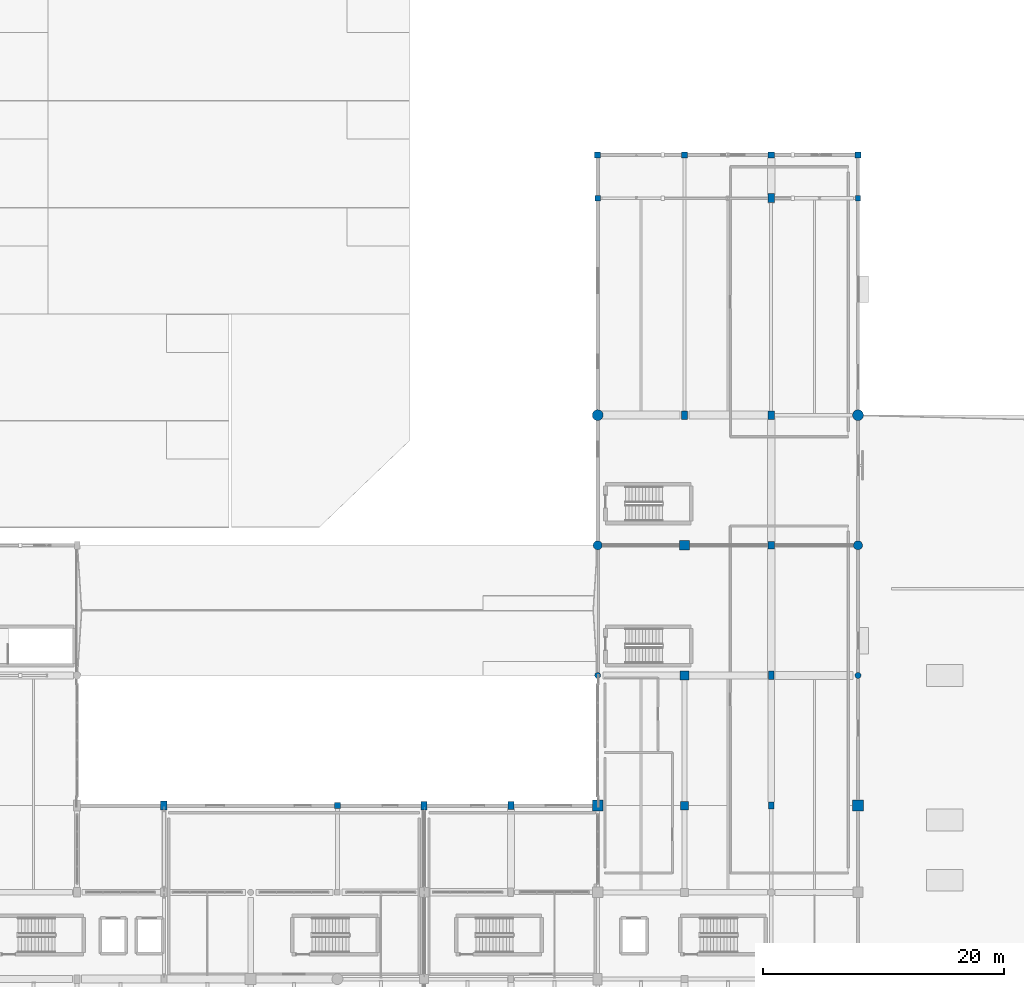
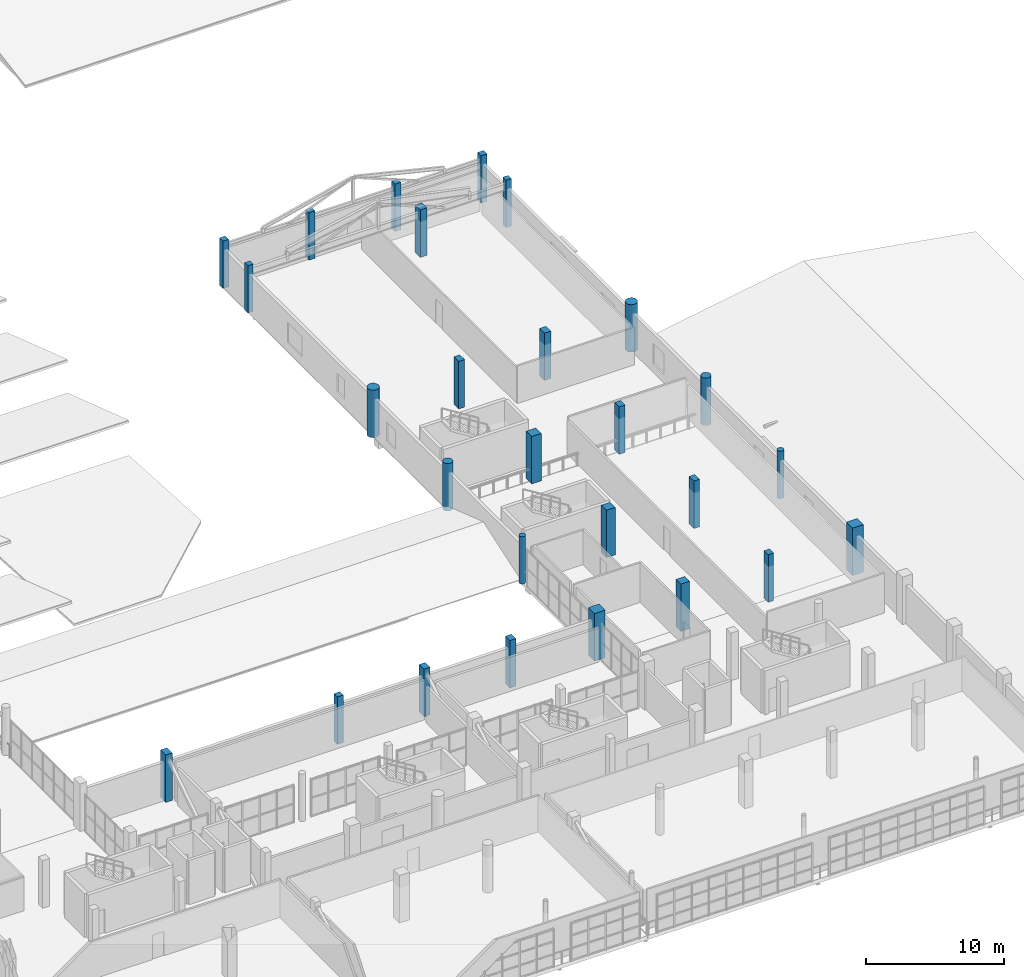
# One storey, part 11 of 90: 27 columns.
"""IFC4 building model written with IfcOpenShell, lengths in metres."""

import ifcopenshell
import ifcopenshell.guid

model = None  # the IFC model being written
_history = None  # IfcOwnerHistory: only IFC2X3 demands one
_inside = {}  # id of a spatial element -> (the spatial element, [elements in it])
_under = {}  # id of a project, library or spatial element -> (it, [spatial elements below it])
_declared = {}  # id of a project -> (the project, [libraries it declares])
_typed = {}  # id of a type object -> (the type object, [elements of that type])
_made_of = {}  # id of a material, layer set ... -> (it, [elements and type objects made of it])


def new_model(schema):
    """Start an empty IFC model of exactly this schema.

    Asked for "IFC4X3", IfcOpenShell would pick the latest addendum, in which some entities
    have other attributes; the version numbers below select the first issue.
    IFC2X3 requires an IfcOwnerHistory on every rooted entity: one is made here for all.
    """
    global model, _history
    if schema == "IFC4X3":
        model = ifcopenshell.file(schema_version=(4, 3, 0, 0))
    else:
        model = ifcopenshell.file(schema=schema)
    _inside.clear()
    _under.clear()
    _declared.clear()
    _typed.clear()
    _made_of.clear()
    _history = None
    if model.schema == "IFC2X3":
        org = make("IfcOrganization", Name="unknown")
        user = make(
            "IfcPersonAndOrganization",
            ThePerson=make("IfcPerson", FamilyName="unknown"),
            TheOrganization=org,
        )
        app = make(
            "IfcApplication",
            ApplicationDeveloper=org,
            Version="unknown",
            ApplicationFullName="unknown",
            ApplicationIdentifier="unknown",
        )
        _history = make(
            "IfcOwnerHistory",
            OwningUser=user,
            OwningApplication=app,
            ChangeAction="ADDED",
            CreationDate=0,
        )
    return model


def make(cls, **values):
    """One entity of the class cls with the attributes given. An attribute that is None is left unset."""
    return model.create_entity(
        cls, **{name: value for name, value in values.items() if value is not None}
    )


def rooted(cls, **values):
    """An entity with a GlobalId (a new one), such as an element, a storey or a relation."""
    return make(cls, GlobalId=ifcopenshell.guid.new(), OwnerHistory=_history, **values)


def si_unit(unit_type, name, prefix=None):
    """IfcSIUnit, for example si_unit("LENGTHUNIT", "METRE", prefix="MILLI")."""
    return make("IfcSIUnit", UnitType=unit_type, Prefix=prefix, Name=name)


def assignment(units):
    """IfcUnitAssignment: the units of a project."""
    return None if units is None else make("IfcUnitAssignment", Units=units)


def point(xyz):
    """IfcCartesianPoint."""
    return None if xyz is None else make("IfcCartesianPoint", Coordinates=xyz)


def direction(xyz):
    """IfcDirection."""
    return None if xyz is None else make("IfcDirection", DirectionRatios=xyz)


def frame(location, z_axis=None, x_axis=None):
    """IfcAxis2Placement3D, a coordinate frame: its origin and axes. An axis left out is left unset."""
    return make(
        "IfcAxis2Placement3D",
        Location=point(location),
        Axis=direction(z_axis),
        RefDirection=direction(x_axis),
    )


def frame_2d(location, x_axis=None):
    """IfcAxis2Placement2D, a coordinate frame in the plane: its origin and x axis."""
    return make(
        "IfcAxis2Placement2D", Location=point(location), RefDirection=direction(x_axis)
    )


def origin():
    """The frame at (0, 0, 0) with its axes left unset."""
    return frame((0.0, 0.0, 0.0))


def origin_2d():
    """The frame at (0, 0) in the plane with its x axis left unset."""
    return frame_2d((0.0, 0.0))


def place(relative_to, where):
    """IfcLocalPlacement: puts the frame where relative to a parent placement (None: the world)."""
    return make(
        "IfcLocalPlacement", PlacementRelTo=relative_to, RelativePlacement=where
    )


def context(
    kind, dimensions, precision=None, world=None, true_north=None, identifier=None
):
    """IfcGeometricRepresentationContext, for example the 3D "Model" context."""
    return make(
        "IfcGeometricRepresentationContext",
        ContextIdentifier=identifier,
        ContextType=kind,
        CoordinateSpaceDimension=dimensions,
        Precision=precision,
        WorldCoordinateSystem=world,
        TrueNorth=true_north,
    )


def subcontext(parent, identifier, kind, view, scale=None):
    """IfcGeometricRepresentationSubContext, for example "Body" below "Model"."""
    return make(
        "IfcGeometricRepresentationSubContext",
        ContextIdentifier=identifier,
        ContextType=kind,
        ParentContext=parent,
        TargetScale=scale,
        TargetView=view,
    )


def project(units=None, contexts=None):
    """IfcProject with its units and contexts."""
    return rooted(
        "IfcProject",
        Name="project",
        RepresentationContexts=contexts,
        UnitsInContext=assignment(units),
    )


def spatial(cls, under=None, at=None, **own):
    """A site, building, storey or space (cls), placed at a placement, below another one or the project."""
    s = rooted(cls, ObjectPlacement=at, **own)
    if under is not None:
        _under.setdefault(under.id(), (under, []))[1].append(s)
    return s


def profile(cls, at=None, kind="AREA", **sizes):
    """A parametric profile (cls). Its sizes go by their IFC names, for example OverallWidth=200.0."""
    return make(cls, ProfileType=kind, Position=at, **sizes)


def rectangle(**sizes):
    """IfcRectangleProfileDef."""
    return profile("IfcRectangleProfileDef", **sizes)


def circle(**sizes):
    """IfcCircleProfileDef."""
    return profile("IfcCircleProfileDef", **sizes)


def extrude(swept, where, along, depth):
    """IfcExtrudedAreaSolid: the profile swept, set in the frame where, extruded along a direction by depth."""
    return make(
        "IfcExtrudedAreaSolid",
        SweptArea=swept,
        Position=where,
        ExtrudedDirection=direction(along),
        Depth=depth,
    )


def shape(context_of_items, identifier, shape_type, items):
    """IfcShapeRepresentation: the items that make up one representation, for example the "Body"."""
    return make(
        "IfcShapeRepresentation",
        ContextOfItems=context_of_items,
        RepresentationIdentifier=identifier,
        RepresentationType=shape_type,
        Items=items,
    )


def material(Name=None, Category=None):
    """IfcMaterial."""
    return make("IfcMaterial", Name=Name, Category=Category)


def material_profile(
    of_material, cross_section, Name=None, Category=None, Priority=None
):
    """IfcMaterialProfile: a cross section and its material."""
    return make(
        "IfcMaterialProfile",
        Name=Name,
        Material=of_material,
        Profile=cross_section,
        Priority=Priority,
        Category=Category,
    )


def profile_set(profiles, Name=None, composite=None):
    """IfcMaterialProfileSet."""
    return make(
        "IfcMaterialProfileSet",
        Name=Name,
        MaterialProfiles=profiles,
        CompositeProfile=composite,
    )


def made_of(thing, what):
    """Note that an element or type object is made of a material, layer set ...; save() writes the relation."""
    if what is not None:
        _made_of.setdefault(what.id(), (what, []))[1].append(thing)
    return thing


def type_object(cls, material=None, **own):
    """A type object (cls), such as IfcWallType, which elements share."""
    return made_of(rooted(cls, **own), material)


def element(
    cls,
    number,
    at=None,
    inside=None,
    cuts=None,
    type_object=None,
    material=None,
    context=None,
    identifier="Body",
    shape_type=None,
    held_by="IfcProductDefinitionShape",
    body=None,
    shapes=None,
    **own,
):
    """One element of the class cls, such as IfcWall. Its Tag is "e" and its number.

    at: its placement. inside: the storey or other place that contains it. cuts: it is an
    opening in that element (IfcRelVoidsElement). A single representation is given by context,
    identifier, shape_type and body (its items); several are given by shapes. held_by: the class
    of the entity that holds the representations. save() writes the other relations.
    """
    e = rooted(cls, Tag="e%d" % number, ObjectPlacement=at, **own)
    if body is not None:
        shapes = [shape(context, identifier, shape_type, body)]
    if shapes is not None:
        e.Representation = make(held_by, Representations=shapes)
    if inside is not None:
        _inside.setdefault(inside.id(), (inside, []))[1].append(e)
    if cuts is not None:
        rooted(
            "IfcRelVoidsElement", RelatingBuildingElement=cuts, RelatedOpeningElement=e
        )
    if type_object is not None:
        _typed.setdefault(type_object.id(), (type_object, []))[1].append(e)
    return made_of(e, material)


def aggregate(whole, parts):
    """IfcRelAggregates: a whole, such as a stair, and the parts it consists of."""
    return rooted("IfcRelAggregates", RelatingObject=whole, RelatedObjects=parts)


def save(model, path):
    """Write the relations noted so far, then the file.

    IfcRelAggregates (storeys below a building ...), IfcRelContainedInSpatialStructure (elements
    in a storey), IfcRelDefinesByType, IfcRelAssociatesMaterial and IfcRelDeclares: one each for
    every whole, place, type object, material and project.
    """
    for whole, parts in _under.values():
        aggregate(whole, parts)
    for where, things in _inside.values():
        rooted(
            "IfcRelContainedInSpatialStructure",
            RelatedElements=things,
            RelatingStructure=where,
        )
    for kind, things in _typed.values():
        rooted("IfcRelDefinesByType", RelatedObjects=things, RelatingType=kind)
    for what, things in _made_of.values():
        rooted("IfcRelAssociatesMaterial", RelatedObjects=things, RelatingMaterial=what)
    for by, libraries in _declared.values():
        rooted("IfcRelDeclares", RelatingContext=by, RelatedDefinitions=libraries)
    model.write(path)


model = new_model("IFC4")

# Units and contexts
model_context = context("Model", 3, precision=1e-05, world=origin(), true_north=direction((0.0, 1.0)))
body_context = subcontext(model_context, "Body", "Model", "MODEL_VIEW")
ifc_project = project(units=[si_unit("LENGTHUNIT", "METRE"), si_unit("AREAUNIT", "SQUARE_METRE"), si_unit("VOLUMEUNIT", "CUBIC_METRE"), si_unit("PLANEANGLEUNIT", "RADIAN"), si_unit("MASSUNIT", "GRAM", prefix="KILO")], contexts=[model_context])

# Site, building, storey
site_placement = place(None, origin())
site = spatial("IfcSite", under=ifc_project, at=site_placement, CompositionType="ELEMENT")
building_placement = place(site_placement, origin())
building = spatial("IfcBuilding", under=site, at=building_placement, Name="Solanera Park Tramway Depot", CompositionType="ELEMENT")
storey_placement = place(building_placement, frame((0.0, 0.0, 9.0)))
storey = spatial("IfcBuildingStorey", under=building, at=storey_placement, Name="L02", CompositionType="ELEMENT", Elevation=9.0)

# Columns
ifc_material_1 = material(Name="Concrete N40 (C40/50)", Category="concrete")
ifc_material_profile_1 = material_profile(ifc_material_1, rectangle(XDim=0.449951171875, YDim=0.449951171875, at=origin_2d()), Name="RC 450x450")
ifc_profile_set_1 = profile_set([ifc_material_profile_1], Name="Concrete N40 (C40/50)")
column_type_1 = type_object("IfcColumnType", Name="RC Column Ext RC 450x450", PredefinedType="COLUMN", material=ifc_profile_set_1)
column_1_placement = place(storey_placement, frame((187.199951171875, 82.800048828125, 0.0), z_axis=(0.0, 0.0, 1.0), x_axis=(1.0, 0.0, 0.0)))
element("IfcColumn", 1, at=column_1_placement, inside=storey, type_object=column_type_1, Name="L02 Column V4-X1872-Y828", PredefinedType="COLUMN", context=body_context, shape_type="SweptSolid", body=[
    extrude(rectangle(XDim=0.449951171875, YDim=0.449951171875, at=origin_2d()), origin(), (0.0, 0.0, 1.0), 4.199951171875),
])
ifc_material_2 = material(Name="Concrete N40 (C40/50)", Category="concrete")
ifc_material_profile_2 = material_profile(ifc_material_2, rectangle(XDim=0.5, YDim=0.5, at=origin_2d()), Name="RC 500x500")
ifc_profile_set_2 = profile_set([ifc_material_profile_2], Name="Concrete N40 (C40/50)")
column_type_2 = type_object("IfcColumnType", Name="RC Column Ext RC 500x500", PredefinedType="COLUMN", material=ifc_profile_set_2)
for number, where, z_axis, x_axis, name in (
    (2, (165.60009765625, 86.39990234375, 0.0), (0.0, 0.0, 1.0), (1.0, 0.0, 0.0), "L02 Column V4N86-X1656"),
    (3, (172.800048828125, 86.39990234375, 0.0), (0.0, 0.0, 1.0), (1.0, 0.0, 0.0), "L02 Column V4N86-X1728"),
    (4, (180.0, 86.39990234375, 0.0), (0.0, 0.0, 1.0), (1.0, 0.0, 0.0), "L02 Column V4N86-X1800"),
    (5, (187.199951171875, 86.39990234375, 0.0), (0.0, 0.0, 1.0), (1.0, 0.0, 0.0), "L02 Column V4N86-X1872"),
):
    element("IfcColumn", number, at=place(storey_placement, frame(where, z_axis=z_axis, x_axis=x_axis)), inside=storey, type_object=column_type_2, Name=name, PredefinedType="COLUMN", context=body_context, shape_type="SweptSolid", body=[
        extrude(rectangle(XDim=0.5, YDim=0.5, at=origin_2d()), origin(), (0.0, 0.0, 1.0), 4.199951171875),
    ])
ifc_material_3 = material(Name="Concrete N40 (C40/50)", Category="concrete")
ifc_material_profile_3 = material_profile(ifc_material_3, rectangle(XDim=0.5, YDim=0.64990234375, at=origin_2d()), Name="RC 500x650")
ifc_profile_set_3 = profile_set([ifc_material_profile_3], Name="Concrete N40 (C40/50)")
column_type_3 = type_object("IfcColumnType", Name="RC Column Ext RC 500x650", PredefinedType="COLUMN", material=ifc_profile_set_3)
column_2_placement = place(storey_placement, frame((180.0, 54.0, 0.0), z_axis=(0.0, 0.0, 1.0), x_axis=(1.0, 0.0, 0.0)))
element("IfcColumn", 6, at=column_2_placement, inside=storey, type_object=column_type_3, Name="L02 Column V4-X1800-Y540", PredefinedType="COLUMN", context=body_context, shape_type="SweptSolid", body=[
    extrude(rectangle(XDim=0.5, YDim=0.64990234375, at=origin_2d()), origin(), (0.0, 0.0, 1.0), 4.199951171875),
])
ifc_material_4 = material(Name="Concrete N40 (C40/50)", Category="concrete")
ifc_material_profile_4 = material_profile(ifc_material_4, rectangle(XDim=0.800048828125, YDim=0.800048828125, at=origin_2d()), Name="RC 800x800")
ifc_profile_set_4 = profile_set([ifc_material_profile_4], Name="Concrete N40 (C40/50)")
column_type_4 = type_object("IfcColumnType", Name="RC Column Ext RC 800x800", PredefinedType="COLUMN", material=ifc_profile_set_4)
column_3_placement = place(storey_placement, frame((172.800048828125, 54.0, 0.0), z_axis=(0.0, 0.0, 1.0), x_axis=(1.0, 0.0, 0.0)))
element("IfcColumn", 7, at=column_3_placement, inside=storey, type_object=column_type_4, Name="L02 Column V4-X1728-Y540", PredefinedType="COLUMN", context=body_context, shape_type="SweptSolid", body=[
    extrude(rectangle(XDim=0.800048828125, YDim=0.800048828125, at=origin_2d()), origin(), (0.0, 0.0, 1.0), 4.199951171875),
])
ifc_material_5 = material(Name="Concrete N40 (C40/50)", Category="concrete")
ifc_material_profile_5 = material_profile(ifc_material_5, rectangle(XDim=0.89990234375, YDim=0.89990234375, at=origin_2d()), Name="RC 900x900")
ifc_profile_set_5 = profile_set([ifc_material_profile_5], Name="Concrete N40 (C40/50)")
column_type_5 = type_object("IfcColumnType", Name="RC Column Ext RC 900x900", PredefinedType="COLUMN", material=ifc_profile_set_5)
column_4_placement = place(storey_placement, frame((187.199951171875, 32.39990234375, 0.0), z_axis=(0.0, 0.0, 1.0), x_axis=(1.0, 0.0, 0.0)))
element("IfcColumn", 8, at=column_4_placement, inside=storey, type_object=column_type_5, Name="L02 Column V4-X1872-Y324", PredefinedType="COLUMN", context=body_context, shape_type="SweptSolid", body=[
    extrude(rectangle(XDim=0.89990234375, YDim=0.89990234375, at=origin_2d()), origin(), (0.0, 0.0, 1.0), 4.199951171875),
])
ifc_material_6 = material(Name="Concrete N40 (C40/50)", Category="concrete")
ifc_material_profile_6 = material_profile(ifc_material_6, circle(Radius=0.25, at=origin_2d()), Name="RC D500")
ifc_profile_set_6 = profile_set([ifc_material_profile_6], Name="Concrete N40 (C40/50)")
column_type_6 = type_object("IfcColumnType", Name="RC Column Ext RC D500", PredefinedType="COLUMN", material=ifc_profile_set_6)
column_5_placement = place(storey_placement, frame((187.199951171875, 43.199951171875, 0.0), z_axis=(0.0, 0.0, 1.0), x_axis=(1.0, 0.0, 0.0)))
element("IfcColumn", 9, at=column_5_placement, inside=storey, type_object=column_type_6, Name="L02 Column V4-X1872-Y432", PredefinedType="COLUMN", context=body_context, shape_type="SweptSolid", body=[
    extrude(circle(Radius=0.25, at=origin_2d()), origin(), (0.0, 0.0, 1.0), 4.199951171875),
])
ifc_material_7 = material(Name="Concrete N40 (C40/50)", Category="concrete")
ifc_material_profile_7 = material_profile(ifc_material_7, circle(Radius=0.375, at=origin_2d()), Name="RC D750")
ifc_profile_set_7 = profile_set([ifc_material_profile_7], Name="Concrete N40 (C40/50)")
column_type_7 = type_object("IfcColumnType", Name="RC Column Ext RC D750", PredefinedType="COLUMN", material=ifc_profile_set_7)
for number, where, z_axis, x_axis, name in (
    (10, (165.60009765625, 54.0, 0.0), (0.0, 0.0, 1.0), (1.0, 0.0, 0.0), "L02 Column V4-X1656-Y540"),
    (11, (187.199951171875, 54.0, 0.0), (0.0, 0.0, 1.0), (1.0, 0.0, 0.0), "L02 Column V4-X1872-Y540"),
):
    element("IfcColumn", number, at=place(storey_placement, frame(where, z_axis=z_axis, x_axis=x_axis)), inside=storey, type_object=column_type_7, Name=name, PredefinedType="COLUMN", context=body_context, shape_type="SweptSolid", body=[
        extrude(circle(Radius=0.375, at=origin_2d()), origin(), (0.0, 0.0, 1.0), 4.199951171875),
    ])
ifc_material_8 = material(Name="Concrete N40 (C40/50)", Category="concrete")
ifc_material_profile_8 = material_profile(ifc_material_8, circle(Radius=0.449951171875, at=origin_2d()), Name="RC D900")
ifc_profile_set_8 = profile_set([ifc_material_profile_8], Name="Concrete N40 (C40/50)")
column_type_8 = type_object("IfcColumnType", Name="RC Column Ext RC D900", PredefinedType="COLUMN", material=ifc_profile_set_8)
column_6_placement = place(storey_placement, frame((187.199951171875, 64.800048828125, 0.0), z_axis=(0.0, 0.0, 1.0), x_axis=(1.0, 0.0, 0.0)))
element("IfcColumn", 12, at=column_6_placement, inside=storey, type_object=column_type_8, Name="L02 Column V4-X1872-Y648", PredefinedType="COLUMN", context=body_context, shape_type="SweptSolid", body=[
    extrude(circle(Radius=0.449951171875, at=origin_2d()), origin(), (0.0, 0.0, 1.0), 4.199951171875),
])
ifc_material_9 = material(Name="Concrete N40 (C40/50)", Category="concrete")
ifc_material_profile_9 = material_profile(ifc_material_9, rectangle(XDim=0.449951171875, YDim=0.449951171875, at=origin_2d()), Name="RC 450x450")
ifc_profile_set_9 = profile_set([ifc_material_profile_9], Name="Concrete N40 (C40/50)")
column_type_9 = type_object("IfcColumnType", Name="RC Column Int RC 450x450", PredefinedType="COLUMN", material=ifc_profile_set_9)
column_7_placement = place(storey_placement, frame((165.60009765625, 82.800048828125, 0.0), z_axis=(0.0, 0.0, 1.0), x_axis=(1.0, 0.0, 0.0)))
element("IfcColumn", 13, at=column_7_placement, inside=storey, type_object=column_type_9, Name="L02 Column V4-X1656-Y828", PredefinedType="COLUMN", context=body_context, shape_type="SweptSolid", body=[
    extrude(rectangle(XDim=0.449951171875, YDim=0.449951171875, at=origin_2d()), origin(), (0.0, 0.0, 1.0), 4.199951171875),
])
ifc_material_10 = material(Name="Concrete N40 (C40/50)", Category="concrete")
ifc_material_profile_10 = material_profile(ifc_material_10, rectangle(XDim=0.449951171875, YDim=0.60009765625, at=origin_2d()), Name="RC 450x600")
ifc_profile_set_10 = profile_set([ifc_material_profile_10], Name="Concrete N40 (C40/50)")
column_type_10 = type_object("IfcColumnType", Name="RC Column Int RC 450x600", PredefinedType="COLUMN", material=ifc_profile_set_10)
column_8_placement = place(storey_placement, frame((180.0, 32.39990234375, 0.0), z_axis=(0.0, 0.0, 1.0), x_axis=(1.0, 0.0, 0.0)))
element("IfcColumn", 14, at=column_8_placement, inside=storey, type_object=column_type_10, Name="L02 Column V4-X1800-Y324", PredefinedType="COLUMN", context=body_context, shape_type="SweptSolid", body=[
    extrude(rectangle(XDim=0.449951171875, YDim=0.60009765625, at=origin_2d()), origin(), (0.0, 0.0, 1.0), 4.199951171875),
])
ifc_material_11 = material(Name="Concrete N40 (C40/50)", Category="concrete")
ifc_material_profile_11 = material_profile(ifc_material_11, rectangle(XDim=0.449951171875, YDim=0.699951171875, at=origin_2d()), Name="RC 450x700")
ifc_profile_set_11 = profile_set([ifc_material_profile_11], Name="Concrete N40 (C40/50)")
column_type_11 = type_object("IfcColumnType", Name="RC Column Int RC 450x700", PredefinedType="COLUMN", material=ifc_profile_set_11)
column_9_placement = place(storey_placement, frame((180.0, 43.199951171875, 0.0), z_axis=(0.0, 0.0, 1.0), x_axis=(1.0, 0.0, 0.0)))
element("IfcColumn", 15, at=column_9_placement, inside=storey, type_object=column_type_11, Name="L02 Column V4-X1800-Y432", PredefinedType="COLUMN", context=body_context, shape_type="SweptSolid", body=[
    extrude(rectangle(XDim=0.449951171875, YDim=0.699951171875, at=origin_2d()), origin(), (0.0, 0.0, 1.0), 4.199951171875),
])
ifc_material_12 = material(Name="Concrete N40 (C40/50)", Category="concrete")
ifc_material_profile_12 = material_profile(ifc_material_12, rectangle(XDim=0.5, YDim=0.5, at=origin_2d()), Name="RC 500x500")
ifc_profile_set_12 = profile_set([ifc_material_profile_12], Name="Concrete N40 (C40/50)")
column_type_12 = type_object("IfcColumnType", Name="RC Column Int RC 500x500", PredefinedType="COLUMN", material=ifc_profile_set_12)
column_10_placement = place(storey_placement, frame((144.0, 32.39990234375, 0.0), z_axis=(0.0, 0.0, 1.0), x_axis=(1.0, 0.0, 0.0)))
element("IfcColumn", 16, at=column_10_placement, inside=storey, type_object=column_type_12, Name="L02 Column V4-X1440-Y324", PredefinedType="COLUMN", context=body_context, shape_type="SweptSolid", body=[
    extrude(rectangle(XDim=0.5, YDim=0.5, at=origin_2d()), origin(), (0.0, 0.0, 1.0), 4.199951171875),
])
ifc_material_13 = material(Name="Concrete N40 (C40/50)", Category="concrete")
ifc_material_profile_13 = material_profile(ifc_material_13, rectangle(XDim=0.5, YDim=0.64990234375, at=origin_2d()), Name="RC 500x650")
ifc_profile_set_13 = profile_set([ifc_material_profile_13], Name="Concrete N40 (C40/50)")
column_type_13 = type_object("IfcColumnType", Name="RC Column Int RC 500x650", PredefinedType="COLUMN", material=ifc_profile_set_13)
column_11_placement = place(storey_placement, frame((158.39990234375, 32.39990234375, 0.0), z_axis=(0.0, 0.0, 1.0), x_axis=(1.0, 0.0, 0.0)))
element("IfcColumn", 17, at=column_11_placement, inside=storey, type_object=column_type_13, Name="L02 Column V4-X1584-Y324", PredefinedType="COLUMN", context=body_context, shape_type="SweptSolid", body=[
    extrude(rectangle(XDim=0.5, YDim=0.64990234375, at=origin_2d()), origin(), (0.0, 0.0, 1.0), 4.199951171875),
])
ifc_material_14 = material(Name="Concrete N40 (C40/50)", Category="concrete")
ifc_material_profile_14 = material_profile(ifc_material_14, rectangle(XDim=0.5, YDim=0.699951171875, at=origin_2d()), Name="RC 500x700")
ifc_profile_set_14 = profile_set([ifc_material_profile_14], Name="Concrete N40 (C40/50)")
column_type_14 = type_object("IfcColumnType", Name="RC Column Int RC 500x700", PredefinedType="COLUMN", material=ifc_profile_set_14)
for number, where, z_axis, x_axis, name in (
    (18, (151.199951171875, 32.39990234375, 0.0), (0.0, 0.0, 1.0), (1.0, 0.0, 0.0), "L02 Column V4-X1512-Y324"),
    (19, (172.800048828125, 64.800048828125, 0.0), (0.0, 0.0, 1.0), (1.0, 0.0, 0.0), "L02 Column V4-X1728-Y648"),
):
    element("IfcColumn", number, at=place(storey_placement, frame(where, z_axis=z_axis, x_axis=x_axis)), inside=storey, type_object=column_type_14, Name=name, PredefinedType="COLUMN", context=body_context, shape_type="SweptSolid", body=[
        extrude(rectangle(XDim=0.5, YDim=0.699951171875, at=origin_2d()), origin(), (0.0, 0.0, 1.0), 4.199951171875),
    ])
ifc_material_15 = material(Name="Concrete N40 (C40/50)", Category="concrete")
ifc_material_profile_15 = material_profile(ifc_material_15, rectangle(XDim=0.550048828125, YDim=0.699951171875, at=origin_2d()), Name="RC 550x700")
ifc_profile_set_15 = profile_set([ifc_material_profile_15], Name="Concrete N40 (C40/50)")
column_type_15 = type_object("IfcColumnType", Name="RC Column Int RC 550x700", PredefinedType="COLUMN", material=ifc_profile_set_15)
column_12_placement = place(storey_placement, frame((180.0, 64.800048828125, 0.0), z_axis=(0.0, 0.0, 1.0), x_axis=(1.0, 0.0, 0.0)))
element("IfcColumn", 20, at=column_12_placement, inside=storey, type_object=column_type_15, Name="L02 Column V4-X1800-Y648", PredefinedType="COLUMN", context=body_context, shape_type="SweptSolid", body=[
    extrude(rectangle(XDim=0.550048828125, YDim=0.699951171875, at=origin_2d()), origin(), (0.0, 0.0, 1.0), 4.199951171875),
])
ifc_material_16 = material(Name="Concrete N40 (C40/50)", Category="concrete")
ifc_material_profile_16 = material_profile(ifc_material_16, rectangle(XDim=0.550048828125, YDim=0.75, at=origin_2d()), Name="RC 550x750")
ifc_profile_set_16 = profile_set([ifc_material_profile_16], Name="Concrete N40 (C40/50)")
column_type_16 = type_object("IfcColumnType", Name="RC Column Int RC 550x750", PredefinedType="COLUMN", material=ifc_profile_set_16)
for number, where, z_axis, x_axis, name in (
    (21, (129.60009765625, 32.39990234375, 0.0), (0.0, 0.0, 1.0), (1.0, 0.0, 0.0), "L02 Column V4-X1296-Y324"),
    (22, (180.0, 82.800048828125, 0.0), (0.0, 0.0, 1.0), (1.0, 0.0, 0.0), "L02 Column V4-X1800-Y828"),
):
    element("IfcColumn", number, at=place(storey_placement, frame(where, z_axis=z_axis, x_axis=x_axis)), inside=storey, type_object=column_type_16, Name=name, PredefinedType="COLUMN", context=body_context, shape_type="SweptSolid", body=[
        extrude(rectangle(XDim=0.550048828125, YDim=0.75, at=origin_2d()), origin(), (0.0, 0.0, 1.0), 4.199951171875),
    ])
ifc_material_17 = material(Name="Concrete N40 (C40/50)", Category="concrete")
ifc_material_profile_17 = material_profile(ifc_material_17, rectangle(XDim=0.699951171875, YDim=0.699951171875, at=origin_2d()), Name="RC 700x700")
ifc_profile_set_17 = profile_set([ifc_material_profile_17], Name="Concrete N40 (C40/50)")
column_type_17 = type_object("IfcColumnType", Name="RC Column Int RC 700x700", PredefinedType="COLUMN", material=ifc_profile_set_17)
column_13_placement = place(storey_placement, frame((172.800048828125, 32.39990234375, 0.0), z_axis=(0.0, 0.0, 1.0), x_axis=(1.0, 0.0, 0.0)))
element("IfcColumn", 23, at=column_13_placement, inside=storey, type_object=column_type_17, Name="L02 Column V4-X1728-Y324", PredefinedType="COLUMN", context=body_context, shape_type="SweptSolid", body=[
    extrude(rectangle(XDim=0.699951171875, YDim=0.699951171875, at=origin_2d()), origin(), (0.0, 0.0, 1.0), 4.199951171875),
])
ifc_material_18 = material(Name="Concrete N40 (C40/50)", Category="concrete")
ifc_material_profile_18 = material_profile(ifc_material_18, rectangle(XDim=0.75, YDim=0.75, at=origin_2d()), Name="RC 750x750")
ifc_profile_set_18 = profile_set([ifc_material_profile_18], Name="Concrete N40 (C40/50)")
column_type_18 = type_object("IfcColumnType", Name="RC Column Int RC 750x750", PredefinedType="COLUMN", material=ifc_profile_set_18)
column_14_placement = place(storey_placement, frame((172.800048828125, 43.199951171875, 0.0), z_axis=(0.0, 0.0, 1.0), x_axis=(1.0, 0.0, 0.0)))
element("IfcColumn", 24, at=column_14_placement, inside=storey, type_object=column_type_18, Name="L02 Column V4-X1728-Y432", PredefinedType="COLUMN", context=body_context, shape_type="SweptSolid", body=[
    extrude(rectangle(XDim=0.75, YDim=0.75, at=origin_2d()), origin(), (0.0, 0.0, 1.0), 4.199951171875),
])
ifc_material_19 = material(Name="Concrete N40 (C40/50)", Category="concrete")
ifc_material_profile_19 = material_profile(ifc_material_19, rectangle(XDim=0.89990234375, YDim=0.89990234375, at=origin_2d()), Name="RC 900x900")
ifc_profile_set_19 = profile_set([ifc_material_profile_19], Name="Concrete N40 (C40/50)")
column_type_19 = type_object("IfcColumnType", Name="RC Column Int RC 900x900", PredefinedType="COLUMN", material=ifc_profile_set_19)
column_15_placement = place(storey_placement, frame((165.60009765625, 32.39990234375, 0.0), z_axis=(0.0, 0.0, 1.0), x_axis=(1.0, 0.0, 0.0)))
element("IfcColumn", 25, at=column_15_placement, inside=storey, type_object=column_type_19, Name="L02 Column V4-X1656-Y324", PredefinedType="COLUMN", context=body_context, shape_type="SweptSolid", body=[
    extrude(rectangle(XDim=0.89990234375, YDim=0.89990234375, at=origin_2d()), origin(), (0.0, 0.0, 1.0), 4.199951171875),
])
ifc_material_20 = material(Name="Concrete N40 (C40/50)", Category="concrete")
ifc_material_profile_20 = material_profile(ifc_material_20, circle(Radius=0.25, at=origin_2d()), Name="RC D500")
ifc_profile_set_20 = profile_set([ifc_material_profile_20], Name="Concrete N40 (C40/50)")
column_type_20 = type_object("IfcColumnType", Name="RC Column Int RC D500", PredefinedType="COLUMN", material=ifc_profile_set_20)
column_16_placement = place(storey_placement, frame((165.60009765625, 43.199951171875, 0.0), z_axis=(0.0, 0.0, 1.0), x_axis=(1.0, 0.0, 0.0)))
element("IfcColumn", 26, at=column_16_placement, inside=storey, type_object=column_type_20, Name="L02 Column V4-X1656-Y432", PredefinedType="COLUMN", context=body_context, shape_type="SweptSolid", body=[
    extrude(circle(Radius=0.25, at=origin_2d()), origin(), (0.0, 0.0, 1.0), 4.199951171875),
])
ifc_material_21 = material(Name="Concrete N40 (C40/50)", Category="concrete")
ifc_material_profile_21 = material_profile(ifc_material_21, circle(Radius=0.449951171875, at=origin_2d()), Name="RC D900")
ifc_profile_set_21 = profile_set([ifc_material_profile_21], Name="Concrete N40 (C40/50)")
column_type_21 = type_object("IfcColumnType", Name="RC Column Int RC D900", PredefinedType="COLUMN", material=ifc_profile_set_21)
column_17_placement = place(storey_placement, frame((165.60009765625, 64.800048828125, 0.0), z_axis=(0.0, 0.0, 1.0), x_axis=(1.0, 0.0, 0.0)))
element("IfcColumn", 27, at=column_17_placement, inside=storey, type_object=column_type_21, Name="L02 Column V4-X1656-Y648", PredefinedType="COLUMN", context=body_context, shape_type="SweptSolid", body=[
    extrude(circle(Radius=0.449951171875, at=origin_2d()), origin(), (0.0, 0.0, 1.0), 4.199951171875),
])

save(model, "model.ifc")
